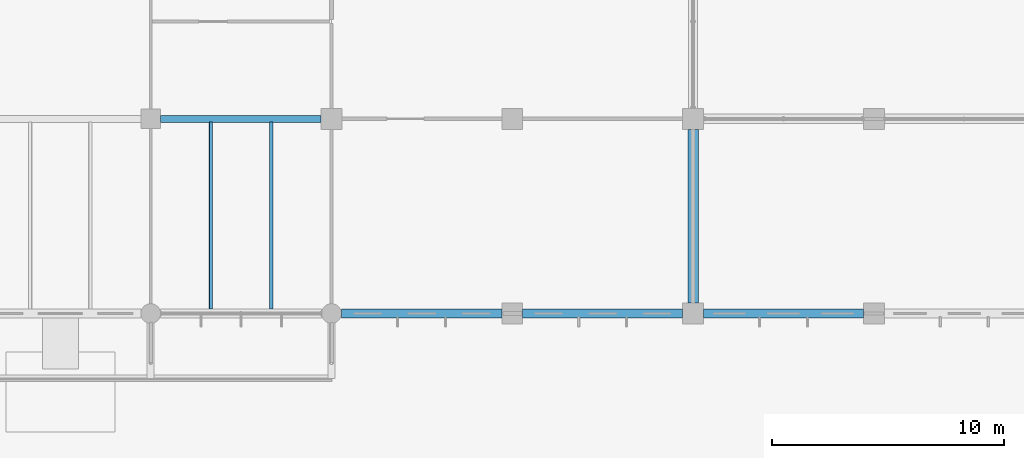
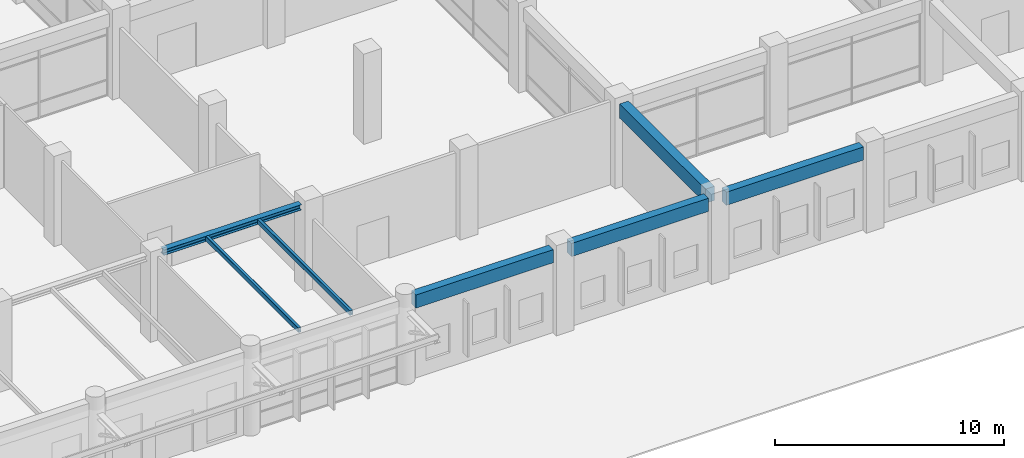
# One storey, part 18 of 74: 7 beams.
"""IFC4 building model written with IfcOpenShell, lengths in metres."""

from ifc_helpers import new_model, si_unit, direction, frame, origin, origin_2d, place, context, subcontext, project, spatial, rectangle, hollow_rectangle, i_section, extrude, material, material_profile, profile_set, type_object, element, save


model = new_model("IFC4")

# Units and contexts
model_context = context("Model", 3, precision=1e-05, world=origin(), true_north=direction((0.0, 1.0)))
body_context = subcontext(model_context, "Body", "Model", "MODEL_VIEW")
ifc_project = project(units=[si_unit("LENGTHUNIT", "METRE"), si_unit("AREAUNIT", "SQUARE_METRE"), si_unit("VOLUMEUNIT", "CUBIC_METRE"), si_unit("PLANEANGLEUNIT", "RADIAN"), si_unit("MASSUNIT", "GRAM", prefix="KILO"), si_unit("THERMODYNAMICTEMPERATUREUNIT", "KELVIN"), si_unit("POWERUNIT", "WATT")], contexts=[model_context])

# Site, building, storey
site_placement = place(None, origin())
site = spatial("IfcSite", under=ifc_project, at=site_placement, CompositionType="ELEMENT")
building_placement = place(site_placement, origin())
building = spatial("IfcBuilding", under=site, at=building_placement, Name="Srebrne Nadtorze General Hospital", CompositionType="ELEMENT")
storey_placement = place(building_placement, origin())
storey = spatial("IfcBuildingStorey", under=building, at=storey_placement, Name="L00", CompositionType="ELEMENT", Elevation=0.0)

# Beams
ifc_material_1 = material(Name="Concrete C40/50", Category="concrete")
ifc_material_profile_1 = material_profile(ifc_material_1, rectangle(XDim=0.39990234375, YDim=0.699951171875, at=origin_2d()), Name="RC-BM-400x700")
ifc_profile_set_1 = profile_set([ifc_material_profile_1], Name="Concrete C40/50")
beam_type_1 = type_object("IfcBeamType", Name="Edge beam RC 400x700", PredefinedType="BEAM", material=ifc_profile_set_1)
beam_1_placement = place(storey_placement, frame((101.824951171875, 0.0, 4.10009765625), z_axis=(1.0, 0.0, 0.0), x_axis=(0.0, 1.0, 0.0)))
element("IfcBeam", 1, at=beam_1_placement, inside=storey, type_object=beam_type_1, Name="Beam BM-L00-X-0191", PredefinedType="BEAM", context=body_context, shape_type="SweptSolid", body=[
    extrude(rectangle(XDim=0.39990234375, YDim=0.699951171875, at=origin_2d()), origin(), (0.0, 0.0, 1.0), 6.925048828125),
])
for number, where, z_axis, x_axis, name in (
    (2, (109.64990234375, 0.0, 4.10009765625), (1.0, 0.0, 0.0), (0.0, 1.0, 0.0), "Beam BM-L00-X-0192"),
    (3, (117.449951171875, 0.0, 4.10009765625), (1.0, 0.0, 0.0), (0.0, 1.0, 0.0), "Beam BM-L00-X-0193"),
):
    element("IfcBeam", number, at=place(storey_placement, frame(where, z_axis=z_axis, x_axis=x_axis)), inside=storey, type_object=beam_type_1, Name=name, PredefinedType="BEAM", context=body_context, shape_type="SweptSolid", body=[
        extrude(rectangle(XDim=0.39990234375, YDim=0.699951171875, at=origin_2d()), origin(), (0.0, 0.0, 1.0), 6.900146484375),
    ])
ifc_material_2 = material(Name="Steel S355J2", Category="steel")
ifc_material_profile_2 = material_profile(ifc_material_2, hollow_rectangle(XDim=0.14990234375, YDim=0.25, WallThickness=0.010009765625, InnerFilletRadius=0.010009765625, OuterFilletRadius=0.014892578125, at=origin_2d()), Name="RHS-250x150x10")
ifc_profile_set_2 = profile_set([ifc_material_profile_2], Name="Steel S355J2")
beam_type_2 = type_object("IfcBeamType", Name="Hollow canopy beam RHS 250x150x10", PredefinedType="HOLLOWCORE", material=ifc_profile_set_2)
for number, where, z_axis, x_axis, name in (
    (4, (96.199951171875, 0.195068359375, 4.324951171875), (0.0, 1.0, 0.0), (-1.0, 0.0, 0.0), "Hollow canopy beam SH-L00-06-1"),
    (5, (98.800048828125, 0.195068359375, 4.324951171875), (0.0, 1.0, 0.0), (-1.0, 0.0, 0.0), "Hollow canopy beam SH-L00-06-2"),
):
    element("IfcBeam", number, at=place(storey_placement, frame(where, z_axis=z_axis, x_axis=x_axis)), inside=storey, type_object=beam_type_2, Name=name, PredefinedType="HOLLOWCORE", context=body_context, shape_type="SweptSolid", body=[
        extrude(hollow_rectangle(XDim=0.14990234375, YDim=0.25, WallThickness=0.010009765625, InnerFilletRadius=0.010009765625, OuterFilletRadius=0.014892578125, at=origin_2d()), origin(), (0.0, 0.0, 1.0), 8.059814453125),
    ])
ifc_material_3 = material(Name="Steel S355J2", Category="steel")
ifc_material_profile_3 = material_profile(ifc_material_3, i_section(OverallWidth=0.300048828125, OverallDepth=0.2900390625, WebThickness=0.008544921875, FlangeThickness=0.013916015625, FilletRadius=0.027099609375, at=origin_2d()), Name="HEA-300")
ifc_profile_set_3 = profile_set([ifc_material_profile_3], Name="Steel S355J2")
beam_type_3 = type_object("IfcBeamType", Name="Primary beam HEA 300", PredefinedType="BEAM", material=ifc_profile_set_3)
beam_2_placement = place(storey_placement, frame((94.02490234375, 8.39990234375, 4.304931640625), z_axis=(1.0, 0.0, 0.0), x_axis=(0.0, 1.0, 0.0)))
element("IfcBeam", 6, at=beam_2_placement, inside=storey, type_object=beam_type_3, Name="Main hall gallery collector beam 6", PredefinedType="BEAM", context=body_context, shape_type="SweptSolid", body=[
    extrude(i_section(OverallWidth=0.300048828125, OverallDepth=0.2900390625, WebThickness=0.008544921875, FlangeThickness=0.013916015625, FilletRadius=0.027099609375, at=origin_2d()), origin(), (0.0, 0.0, 1.0), 6.925048828125),
])
ifc_material_4 = material(Name="Concrete C40/50", Category="concrete")
ifc_material_profile_4 = material_profile(ifc_material_4, rectangle(XDim=0.449951171875, YDim=0.75, at=origin_2d()), Name="RC-BM-450x750")
ifc_profile_set_4 = profile_set([ifc_material_profile_4], Name="Concrete C40/50")
beam_type_4 = type_object("IfcBeamType", Name="Primary beam RC 450x750", PredefinedType="BEAM", material=ifc_profile_set_4)
beam_3_placement = place(storey_placement, frame((117.0, 0.449951171875, 4.074951171875), z_axis=(0.0, 1.0, 0.0), x_axis=(-1.0, 0.0, 0.0)))
element("IfcBeam", 7, at=beam_3_placement, inside=storey, type_object=beam_type_4, Name="Beam BM-L00-Y-0327", PredefinedType="BEAM", context=body_context, shape_type="SweptSolid", body=[
    extrude(rectangle(XDim=0.449951171875, YDim=0.75, at=origin_2d()), origin(), (0.0, 0.0, 1.0), 7.5),
])

save(model, "model.ifc")
